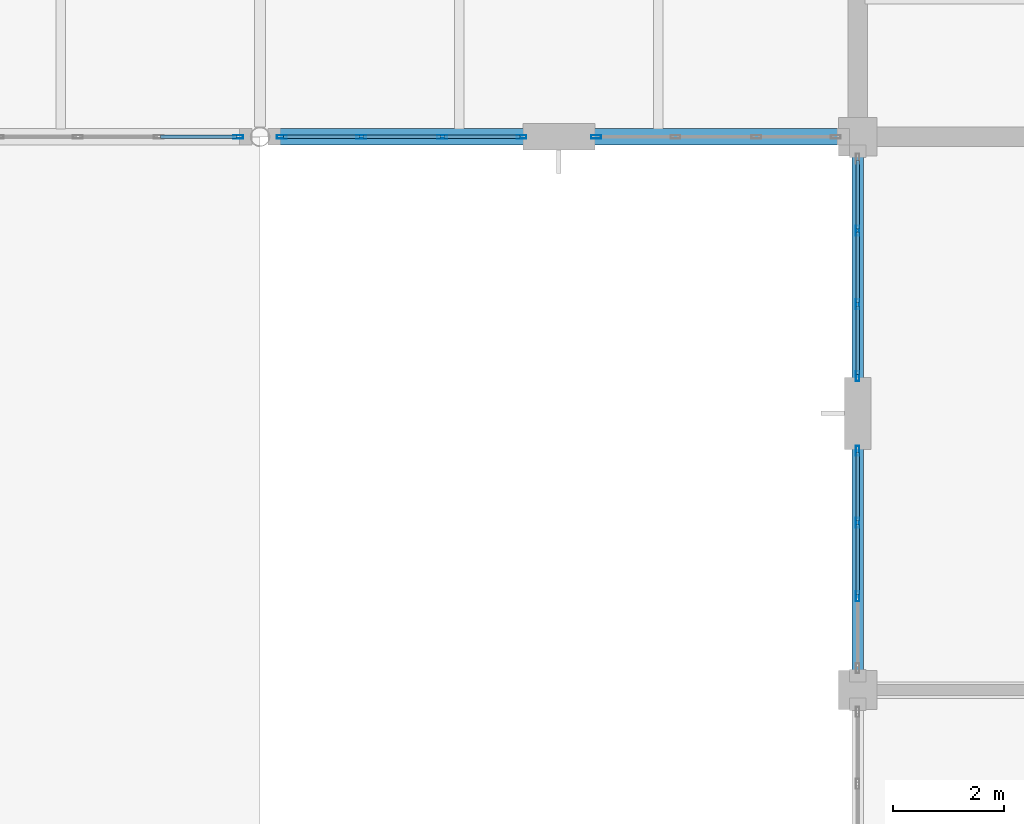
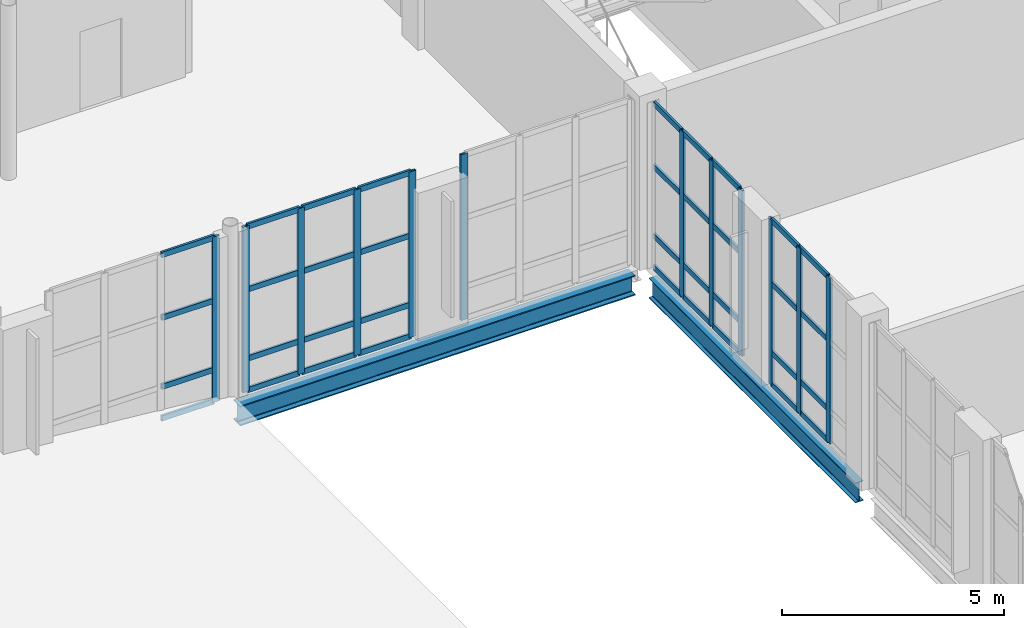
# One storey, part 36 of 92: 48 members, 2 beams, 5 elements without a shape of their own.
"""IFC4 building model written with IfcOpenShell, lengths in metres."""

from ifc_helpers import new_model, si_unit, direction, frame, origin, origin_2d, place, context, subcontext, project, spatial, hollow_rectangle, i_section, extrude, material, layer, layer_set, material_profile, profile_set, type_object, element, aggregate, save


model = new_model("IFC4")

# Units and contexts
model_context = context("Model", 3, precision=1e-05, world=origin(), true_north=direction((0.0, 1.0)))
body_context = subcontext(model_context, "Body", "Model", "MODEL_VIEW")
ifc_project = project(units=[si_unit("LENGTHUNIT", "METRE"), si_unit("AREAUNIT", "SQUARE_METRE"), si_unit("VOLUMEUNIT", "CUBIC_METRE"), si_unit("PLANEANGLEUNIT", "RADIAN"), si_unit("MASSUNIT", "GRAM", prefix="KILO")], contexts=[model_context])

# Site, building, storey
site_placement = place(None, origin())
site = spatial("IfcSite", under=ifc_project, at=site_placement, CompositionType="ELEMENT")
building_placement = place(site_placement, origin())
building = spatial("IfcBuilding", under=site, at=building_placement, Name="Tasgan Crest Museum", CompositionType="ELEMENT")
storey_placement = place(building_placement, frame((0.0, 0.0, 4.800048828125)))
storey = spatial("IfcBuildingStorey", under=building, at=storey_placement, Name="L01", CompositionType="ELEMENT", Elevation=4.800048828125)

# Beams
ifc_material_1 = material(Name="Steel S355K2", Category="steel")
ifc_material_profile_1 = material_profile(ifc_material_1, i_section(OverallWidth=0.300048828125, OverallDepth=0.550048828125, WebThickness=0.014892578125, FlangeThickness=0.029052734375, FilletRadius=0.027099609375, at=origin_2d()), Name="HEB 550")
ifc_profile_set_1 = profile_set([ifc_material_profile_1], Name="Steel S355K2")
beam_type_1 = type_object("IfcBeamType", Name="BM-G-HEB550", PredefinedType="BEAM", material=ifc_profile_set_1)
beam_1_placement = place(storey_placement, frame((97.373779296875, 40.0, -0.51513671875), z_axis=(1.0, 0.0, 0.0), x_axis=(0.0, 1.0, 0.0)))
element("IfcBeam", 1, at=beam_1_placement, inside=storey, type_object=beam_type_1, Name="Girder L01 E 97.2-108.0", PredefinedType="BEAM", context=body_context, shape_type="SweptSolid", body=[
    extrude(i_section(OverallWidth=0.300048828125, OverallDepth=0.550048828125, WebThickness=0.014892578125, FlangeThickness=0.029052734375, FilletRadius=0.027099609375, at=origin_2d()), origin(), (0.0, 0.0, 1.0), 10.2802734375),
])
ifc_material_2 = material(Name="Steel S355J2", Category="steel")
ifc_material_profile_2 = material_profile(ifc_material_2, i_section(OverallWidth=0.2099609375, OverallDepth=0.550048828125, WebThickness=0.010986328125, FlangeThickness=0.01708984375, FilletRadius=0.02392578125, at=origin_2d()), Name="IPE 550")
ifc_profile_set_2 = profile_set([ifc_material_profile_2], Name="Steel S355J2")
beam_type_2 = type_object("IfcBeamType", Name="BM-G-IPE550", PredefinedType="BEAM", material=ifc_profile_set_2)
beam_2_placement = place(storey_placement, frame((108.0, 30.344970703125, -0.554931640625), z_axis=(0.0, 1.0, 0.0), x_axis=(-1.0, 0.0, 0.0)))
element("IfcBeam", 2, at=beam_2_placement, inside=storey, type_object=beam_type_2, Name="Beam L01 11 30.0-40.0", PredefinedType="BEAM", context=body_context, shape_type="SweptSolid", body=[
    extrude(i_section(OverallWidth=0.2099609375, OverallDepth=0.550048828125, WebThickness=0.010986328125, FlangeThickness=0.01708984375, FilletRadius=0.02392578125, at=origin_2d()), origin(), (0.0, 0.0, 1.0), 9.31005859375),
])

# Curtain wall, member
ifc_material_3 = material(Name="Triple-Glazed Aluminium Curtain Wall", Category="aluminium")
ifc_layer_1 = layer(ifc_material_3, 0.179931640625, Name="CW-DRUM-X-48")
ifc_layer_set_1 = layer_set([ifc_layer_1], Name="Triple-Glazed Aluminium Curtain Wall")
curtain_wall_type_1 = type_object("IfcCurtainWallType", Name="CW-DRUM-X-48", PredefinedType="NOTDEFINED", material=ifc_layer_set_1)
curtain_wall_1_placement = place(storey_placement, origin())
curtain_wall_1 = element("IfcCurtainWall", 3, at=curtain_wall_1_placement, inside=storey, type_object=curtain_wall_type_1, Name="Curtain wall L01 034", PredefinedType="NOTDEFINED")
ifc_material_4 = material(Name="Anodised Aluminium", Category="aluminium")
ifc_material_profile_3 = material_profile(ifc_material_4, hollow_rectangle(XDim=0.06494140625, YDim=0.179931640625, WallThickness=0.0048828125, at=origin_2d()), Name="ALU MULLION 180x65x5")
ifc_profile_set_3 = profile_set([ifc_material_profile_3], Name="Anodised Aluminium")
member_type_1 = type_object("IfcMemberType", Name="CW-MULLION-180", PredefinedType="MULLION", material=ifc_profile_set_3)
member_1_placement = place(storey_placement, frame((96.804931640625, 40.0, 0.0), z_axis=(0.0, 0.0, 1.0), x_axis=(0.0, 1.0, 0.0)))
member_1 = element("IfcMember", 4, at=member_1_placement, type_object=member_type_1, Name="CW03 mullion 4", PredefinedType="MULLION", context=body_context, shape_type="SweptSolid", body=[
    extrude(hollow_rectangle(XDim=0.06494140625, YDim=0.179931640625, WallThickness=0.0048828125, at=origin_2d()), origin(), (0.0, 0.0, 1.0), 4.56005859375),
])

# Curtain wall, members
curtain_wall_2_placement = place(storey_placement, origin())
curtain_wall_2 = element("IfcCurtainWall", 5, at=curtain_wall_2_placement, inside=storey, type_object=curtain_wall_type_1, Name="Curtain wall L01 035", PredefinedType="NOTDEFINED")
member_2_placement = place(storey_placement, frame((97.594970703125, 40.0, 0.0), z_axis=(0.0, 0.0, 1.0), x_axis=(0.0, 1.0, 0.0)))
member_2 = element("IfcMember", 6, at=member_2_placement, type_object=member_type_1, Name="CW03 mullion 1", PredefinedType="MULLION", context=body_context, shape_type="SweptSolid", body=[
    extrude(hollow_rectangle(XDim=0.06494140625, YDim=0.179931640625, WallThickness=0.0048828125, at=origin_2d()), origin(), (0.0, 0.0, 1.0), 4.56005859375),
])
member_3_placement = place(storey_placement, frame((99.0283203125, 40.0, 0.0), z_axis=(0.0, 0.0, 1.0), x_axis=(0.0, 1.0, 0.0)))
member_3 = element("IfcMember", 7, at=member_3_placement, type_object=member_type_1, Name="CW03 mullion 2", PredefinedType="MULLION", context=body_context, shape_type="SweptSolid", body=[
    extrude(hollow_rectangle(XDim=0.06494140625, YDim=0.179931640625, WallThickness=0.0048828125, at=origin_2d()), origin(), (0.0, 0.0, 1.0), 4.56005859375),
])
member_4_placement = place(storey_placement, frame((100.49169921875, 40.0, 0.0), z_axis=(0.0, 0.0, 1.0), x_axis=(0.0, 1.0, 0.0)))
member_4 = element("IfcMember", 8, at=member_4_placement, type_object=member_type_1, Name="CW03 mullion 3", PredefinedType="MULLION", context=body_context, shape_type="SweptSolid", body=[
    extrude(hollow_rectangle(XDim=0.06494140625, YDim=0.179931640625, WallThickness=0.0048828125, at=origin_2d()), origin(), (0.0, 0.0, 1.0), 4.56005859375),
])
member_5_placement = place(storey_placement, frame((101.925048828125, 40.0, 0.0), z_axis=(0.0, 0.0, 1.0), x_axis=(0.0, 1.0, 0.0)))
member_5 = element("IfcMember", 9, at=member_5_placement, type_object=member_type_1, Name="CW03 mullion 4", PredefinedType="MULLION", context=body_context, shape_type="SweptSolid", body=[
    extrude(hollow_rectangle(XDim=0.06494140625, YDim=0.179931640625, WallThickness=0.0048828125, at=origin_2d()), origin(), (0.0, 0.0, 1.0), 4.56005859375),
])

# Curtain wall, member
curtain_wall_3_placement = place(storey_placement, origin())
curtain_wall_3 = element("IfcCurtainWall", 10, at=curtain_wall_3_placement, inside=storey, type_object=curtain_wall_type_1, Name="Curtain wall L01 036", PredefinedType="NOTDEFINED")
member_6_placement = place(storey_placement, frame((103.27490234375, 40.0, 0.0), z_axis=(0.0, 0.0, 1.0), x_axis=(0.0, 1.0, 0.0)))
member_6 = element("IfcMember", 11, at=member_6_placement, type_object=member_type_1, Name="CW03 mullion 1", PredefinedType="MULLION", context=body_context, shape_type="SweptSolid", body=[
    extrude(hollow_rectangle(XDim=0.06494140625, YDim=0.179931640625, WallThickness=0.0048828125, at=origin_2d()), origin(), (0.0, 0.0, 1.0), 4.56005859375),
])
aggregate(curtain_wall_3, [member_6])

# Curtain wall, members
ifc_material_5 = material(Name="Triple-Glazed Aluminium Curtain Wall", Category="aluminium")
ifc_layer_2 = layer(ifc_material_5, 0.179931640625, Name="CW-PORCH-Y")
ifc_layer_set_2 = layer_set([ifc_layer_2], Name="Triple-Glazed Aluminium Curtain Wall")
curtain_wall_type_2 = type_object("IfcCurtainWallType", Name="CW-PORCH-Y", PredefinedType="NOTDEFINED", material=ifc_layer_set_2)
curtain_wall_4_placement = place(storey_placement, origin())
curtain_wall_4 = element("IfcCurtainWall", 12, at=curtain_wall_4_placement, inside=storey, type_object=curtain_wall_type_2, Name="Curtain wall L01 037", PredefinedType="NOTDEFINED")
member_7_placement = place(storey_placement, frame((108.0, 38.304931640625, 0.0), z_axis=(0.0, 0.0, 1.0), x_axis=(1.0, 0.0, 0.0)))
member_7 = element("IfcMember", 13, at=member_7_placement, type_object=member_type_1, Name="CW02 mullion 2", PredefinedType="MULLION", context=body_context, shape_type="SweptSolid", body=[
    extrude(hollow_rectangle(XDim=0.06494140625, YDim=0.179931640625, WallThickness=0.0048828125, at=origin_2d()), origin(), (0.0, 0.0, 1.0), 4.56005859375),
])
member_8_placement = place(storey_placement, frame((108.0, 36.97509765625, 0.0), z_axis=(0.0, 0.0, 1.0), x_axis=(1.0, 0.0, 0.0)))
member_8 = element("IfcMember", 14, at=member_8_placement, type_object=member_type_1, Name="CW02 mullion 3", PredefinedType="MULLION", context=body_context, shape_type="SweptSolid", body=[
    extrude(hollow_rectangle(XDim=0.06494140625, YDim=0.179931640625, WallThickness=0.0048828125, at=origin_2d()), origin(), (0.0, 0.0, 1.0), 4.56005859375),
])
member_9_placement = place(storey_placement, frame((108.0, 35.675048828125, 0.0), z_axis=(0.0, 0.0, 1.0), x_axis=(1.0, 0.0, 0.0)))
member_9 = element("IfcMember", 15, at=member_9_placement, type_object=member_type_1, Name="CW02 mullion 4", PredefinedType="MULLION", context=body_context, shape_type="SweptSolid", body=[
    extrude(hollow_rectangle(XDim=0.06494140625, YDim=0.179931640625, WallThickness=0.0048828125, at=origin_2d()), origin(), (0.0, 0.0, 1.0), 4.56005859375),
])

curtain_wall_5_placement = place(storey_placement, origin())
curtain_wall_5 = element("IfcCurtainWall", 16, at=curtain_wall_5_placement, inside=storey, type_object=curtain_wall_type_2, Name="Curtain wall L01 038", PredefinedType="NOTDEFINED")
member_10_placement = place(storey_placement, frame((108.0, 34.324951171875, 0.0), z_axis=(0.0, 0.0, 1.0), x_axis=(1.0, 0.0, 0.0)))
member_10 = element("IfcMember", 17, at=member_10_placement, type_object=member_type_1, Name="CW02 mullion 1", PredefinedType="MULLION", context=body_context, shape_type="SweptSolid", body=[
    extrude(hollow_rectangle(XDim=0.06494140625, YDim=0.179931640625, WallThickness=0.0048828125, at=origin_2d()), origin(), (0.0, 0.0, 1.0), 4.56005859375),
])
member_11_placement = place(storey_placement, frame((108.0, 33.02490234375, 0.0), z_axis=(0.0, 0.0, 1.0), x_axis=(1.0, 0.0, 0.0)))
member_11 = element("IfcMember", 18, at=member_11_placement, type_object=member_type_1, Name="CW02 mullion 2", PredefinedType="MULLION", context=body_context, shape_type="SweptSolid", body=[
    extrude(hollow_rectangle(XDim=0.06494140625, YDim=0.179931640625, WallThickness=0.0048828125, at=origin_2d()), origin(), (0.0, 0.0, 1.0), 4.56005859375),
])
member_12_placement = place(storey_placement, frame((108.0, 31.695068359375, 0.0), z_axis=(0.0, 0.0, 1.0), x_axis=(1.0, 0.0, 0.0)))
member_12 = element("IfcMember", 19, at=member_12_placement, type_object=member_type_1, Name="CW02 mullion 3", PredefinedType="MULLION", context=body_context, shape_type="SweptSolid", body=[
    extrude(hollow_rectangle(XDim=0.06494140625, YDim=0.179931640625, WallThickness=0.0048828125, at=origin_2d()), origin(), (0.0, 0.0, 1.0), 4.56005859375),
])

# Member
ifc_material_6 = material(Name="Anodised Aluminium", Category="aluminium")
ifc_material_profile_4 = material_profile(ifc_material_6, hollow_rectangle(XDim=0.06005859375, YDim=0.14990234375, WallThickness=0.0048828125, at=origin_2d()), Name="ALU TRANSOM 150x60x5")
ifc_profile_set_4 = profile_set([ifc_material_profile_4], Name="Anodised Aluminium")
member_type_2 = type_object("IfcMemberType", Name="CW-TRANSOM-150", PredefinedType="USERDEFINED", material=ifc_profile_set_4)
member_13_placement = place(storey_placement, frame((95.401611328125, 40.0, 0.030029296875), z_axis=(1.0, 0.0, 0.0), x_axis=(0.0, 1.0, 0.0)))
member_13 = element("IfcMember", 20, at=member_13_placement, type_object=member_type_2, Name="CW03 transom 3.1", ObjectType="TRANSOM", PredefinedType="USERDEFINED", context=body_context, shape_type="SweptSolid", body=[
    extrude(hollow_rectangle(XDim=0.06005859375, YDim=0.14990234375, WallThickness=0.0048828125, at=origin_2d()), origin(), (0.0, 0.0, 1.0), 1.373291015625),
])

member_14_placement = place(storey_placement, frame((95.401611328125, 40.0, 0.89990234375), z_axis=(1.0, 0.0, 0.0), x_axis=(0.0, 1.0, 0.0)))
member_14 = element("IfcMember", 21, at=member_14_placement, type_object=member_type_2, Name="CW03 transom 3.2", ObjectType="TRANSOM", PredefinedType="USERDEFINED", context=body_context, shape_type="SweptSolid", body=[
    extrude(hollow_rectangle(XDim=0.06005859375, YDim=0.14990234375, WallThickness=0.0048828125, at=origin_2d()), origin(), (0.0, 0.0, 1.0), 1.373291015625),
])

member_15_placement = place(storey_placement, frame((95.401611328125, 40.0, 2.800048828125), z_axis=(1.0, 0.0, 0.0), x_axis=(0.0, 1.0, 0.0)))
member_15 = element("IfcMember", 22, at=member_15_placement, type_object=member_type_2, Name="CW03 transom 3.3", ObjectType="TRANSOM", PredefinedType="USERDEFINED", context=body_context, shape_type="SweptSolid", body=[
    extrude(hollow_rectangle(XDim=0.06005859375, YDim=0.14990234375, WallThickness=0.0048828125, at=origin_2d()), origin(), (0.0, 0.0, 1.0), 1.373291015625),
])

member_16_placement = place(storey_placement, frame((95.401611328125, 40.0, 4.530029296875), z_axis=(1.0, 0.0, 0.0), x_axis=(0.0, 1.0, 0.0)))
member_16 = element("IfcMember", 23, at=member_16_placement, type_object=member_type_2, Name="CW03 transom 3.4", ObjectType="TRANSOM", PredefinedType="USERDEFINED", context=body_context, shape_type="SweptSolid", body=[
    extrude(hollow_rectangle(XDim=0.06005859375, YDim=0.14990234375, WallThickness=0.0048828125, at=origin_2d()), origin(), (0.0, 0.0, 1.0), 1.373291015625),
])

aggregate(curtain_wall_1, [member_1, member_13, member_14, member_15, member_16])

member_17_placement = place(storey_placement, frame((97.625, 40.0, 0.030029296875), z_axis=(1.0, 0.0, 0.0), x_axis=(0.0, 1.0, 0.0)))
member_17 = element("IfcMember", 24, at=member_17_placement, type_object=member_type_2, Name="CW03 transom 1.1", ObjectType="TRANSOM", PredefinedType="USERDEFINED", context=body_context, shape_type="SweptSolid", body=[
    extrude(hollow_rectangle(XDim=0.06005859375, YDim=0.14990234375, WallThickness=0.0048828125, at=origin_2d()), origin(), (0.0, 0.0, 1.0), 1.373291015625),
])

member_18_placement = place(storey_placement, frame((97.625, 40.0, 0.89990234375), z_axis=(1.0, 0.0, 0.0), x_axis=(0.0, 1.0, 0.0)))
member_18 = element("IfcMember", 25, at=member_18_placement, type_object=member_type_2, Name="CW03 transom 1.2", ObjectType="TRANSOM", PredefinedType="USERDEFINED", context=body_context, shape_type="SweptSolid", body=[
    extrude(hollow_rectangle(XDim=0.06005859375, YDim=0.14990234375, WallThickness=0.0048828125, at=origin_2d()), origin(), (0.0, 0.0, 1.0), 1.373291015625),
])

member_19_placement = place(storey_placement, frame((97.625, 40.0, 2.800048828125), z_axis=(1.0, 0.0, 0.0), x_axis=(0.0, 1.0, 0.0)))
member_19 = element("IfcMember", 26, at=member_19_placement, type_object=member_type_2, Name="CW03 transom 1.3", ObjectType="TRANSOM", PredefinedType="USERDEFINED", context=body_context, shape_type="SweptSolid", body=[
    extrude(hollow_rectangle(XDim=0.06005859375, YDim=0.14990234375, WallThickness=0.0048828125, at=origin_2d()), origin(), (0.0, 0.0, 1.0), 1.373291015625),
])

member_20_placement = place(storey_placement, frame((97.625, 40.0, 4.530029296875), z_axis=(1.0, 0.0, 0.0), x_axis=(0.0, 1.0, 0.0)))
member_20 = element("IfcMember", 27, at=member_20_placement, type_object=member_type_2, Name="CW03 transom 1.4", ObjectType="TRANSOM", PredefinedType="USERDEFINED", context=body_context, shape_type="SweptSolid", body=[
    extrude(hollow_rectangle(XDim=0.06005859375, YDim=0.14990234375, WallThickness=0.0048828125, at=origin_2d()), origin(), (0.0, 0.0, 1.0), 1.373291015625),
])

member_21_placement = place(storey_placement, frame((99.058349609375, 40.0, 0.030029296875), z_axis=(1.0, 0.0, 0.0), x_axis=(0.0, 1.0, 0.0)))
member_21 = element("IfcMember", 28, at=member_21_placement, type_object=member_type_2, Name="CW03 transom 2.1", ObjectType="TRANSOM", PredefinedType="USERDEFINED", context=body_context, shape_type="SweptSolid", body=[
    extrude(hollow_rectangle(XDim=0.06005859375, YDim=0.14990234375, WallThickness=0.0048828125, at=origin_2d()), origin(), (0.0, 0.0, 1.0), 1.4033203125),
])

member_22_placement = place(storey_placement, frame((99.058349609375, 40.0, 0.89990234375), z_axis=(1.0, 0.0, 0.0), x_axis=(0.0, 1.0, 0.0)))
member_22 = element("IfcMember", 29, at=member_22_placement, type_object=member_type_2, Name="CW03 transom 2.2", ObjectType="TRANSOM", PredefinedType="USERDEFINED", context=body_context, shape_type="SweptSolid", body=[
    extrude(hollow_rectangle(XDim=0.06005859375, YDim=0.14990234375, WallThickness=0.0048828125, at=origin_2d()), origin(), (0.0, 0.0, 1.0), 1.4033203125),
])

member_23_placement = place(storey_placement, frame((99.058349609375, 40.0, 2.800048828125), z_axis=(1.0, 0.0, 0.0), x_axis=(0.0, 1.0, 0.0)))
member_23 = element("IfcMember", 30, at=member_23_placement, type_object=member_type_2, Name="CW03 transom 2.3", ObjectType="TRANSOM", PredefinedType="USERDEFINED", context=body_context, shape_type="SweptSolid", body=[
    extrude(hollow_rectangle(XDim=0.06005859375, YDim=0.14990234375, WallThickness=0.0048828125, at=origin_2d()), origin(), (0.0, 0.0, 1.0), 1.4033203125),
])

member_24_placement = place(storey_placement, frame((99.058349609375, 40.0, 4.530029296875), z_axis=(1.0, 0.0, 0.0), x_axis=(0.0, 1.0, 0.0)))
member_24 = element("IfcMember", 31, at=member_24_placement, type_object=member_type_2, Name="CW03 transom 2.4", ObjectType="TRANSOM", PredefinedType="USERDEFINED", context=body_context, shape_type="SweptSolid", body=[
    extrude(hollow_rectangle(XDim=0.06005859375, YDim=0.14990234375, WallThickness=0.0048828125, at=origin_2d()), origin(), (0.0, 0.0, 1.0), 1.4033203125),
])

member_25_placement = place(storey_placement, frame((100.521728515625, 40.0, 0.030029296875), z_axis=(1.0, 0.0, 0.0), x_axis=(0.0, 1.0, 0.0)))
member_25 = element("IfcMember", 32, at=member_25_placement, type_object=member_type_2, Name="CW03 transom 3.1", ObjectType="TRANSOM", PredefinedType="USERDEFINED", context=body_context, shape_type="SweptSolid", body=[
    extrude(hollow_rectangle(XDim=0.06005859375, YDim=0.14990234375, WallThickness=0.0048828125, at=origin_2d()), origin(), (0.0, 0.0, 1.0), 1.373291015625),
])

member_26_placement = place(storey_placement, frame((100.521728515625, 40.0, 0.89990234375), z_axis=(1.0, 0.0, 0.0), x_axis=(0.0, 1.0, 0.0)))
member_26 = element("IfcMember", 33, at=member_26_placement, type_object=member_type_2, Name="CW03 transom 3.2", ObjectType="TRANSOM", PredefinedType="USERDEFINED", context=body_context, shape_type="SweptSolid", body=[
    extrude(hollow_rectangle(XDim=0.06005859375, YDim=0.14990234375, WallThickness=0.0048828125, at=origin_2d()), origin(), (0.0, 0.0, 1.0), 1.373291015625),
])

member_27_placement = place(storey_placement, frame((100.521728515625, 40.0, 2.800048828125), z_axis=(1.0, 0.0, 0.0), x_axis=(0.0, 1.0, 0.0)))
member_27 = element("IfcMember", 34, at=member_27_placement, type_object=member_type_2, Name="CW03 transom 3.3", ObjectType="TRANSOM", PredefinedType="USERDEFINED", context=body_context, shape_type="SweptSolid", body=[
    extrude(hollow_rectangle(XDim=0.06005859375, YDim=0.14990234375, WallThickness=0.0048828125, at=origin_2d()), origin(), (0.0, 0.0, 1.0), 1.373291015625),
])

member_28_placement = place(storey_placement, frame((100.521728515625, 40.0, 4.530029296875), z_axis=(1.0, 0.0, 0.0), x_axis=(0.0, 1.0, 0.0)))
member_28 = element("IfcMember", 35, at=member_28_placement, type_object=member_type_2, Name="CW03 transom 3.4", ObjectType="TRANSOM", PredefinedType="USERDEFINED", context=body_context, shape_type="SweptSolid", body=[
    extrude(hollow_rectangle(XDim=0.06005859375, YDim=0.14990234375, WallThickness=0.0048828125, at=origin_2d()), origin(), (0.0, 0.0, 1.0), 1.373291015625),
])

aggregate(curtain_wall_2, [member_2, member_3, member_4, member_5, member_17, member_18, member_19, member_20, member_21, member_22, member_23, member_24, member_25, member_26, member_27, member_28])

member_29_placement = place(storey_placement, frame((108.0, 39.574951171875, 0.030029296875), z_axis=(0.0, -1.0, 0.0), x_axis=(1.0, 0.0, 0.0)))
member_29 = element("IfcMember", 36, at=member_29_placement, type_object=member_type_2, Name="CW02 transom 1.1", ObjectType="TRANSOM", PredefinedType="USERDEFINED", context=body_context, shape_type="SweptSolid", body=[
    extrude(hollow_rectangle(XDim=0.06005859375, YDim=0.14990234375, WallThickness=0.0048828125, at=origin_2d()), origin(), (0.0, 0.0, 1.0), 1.239990234375),
])

member_30_placement = place(storey_placement, frame((108.0, 39.574951171875, 0.89990234375), z_axis=(0.0, -1.0, 0.0), x_axis=(1.0, 0.0, 0.0)))
member_30 = element("IfcMember", 37, at=member_30_placement, type_object=member_type_2, Name="CW02 transom 1.2", ObjectType="TRANSOM", PredefinedType="USERDEFINED", context=body_context, shape_type="SweptSolid", body=[
    extrude(hollow_rectangle(XDim=0.06005859375, YDim=0.14990234375, WallThickness=0.0048828125, at=origin_2d()), origin(), (0.0, 0.0, 1.0), 1.239990234375),
])

member_31_placement = place(storey_placement, frame((108.0, 39.574951171875, 2.800048828125), z_axis=(0.0, -1.0, 0.0), x_axis=(1.0, 0.0, 0.0)))
member_31 = element("IfcMember", 38, at=member_31_placement, type_object=member_type_2, Name="CW02 transom 1.3", ObjectType="TRANSOM", PredefinedType="USERDEFINED", context=body_context, shape_type="SweptSolid", body=[
    extrude(hollow_rectangle(XDim=0.06005859375, YDim=0.14990234375, WallThickness=0.0048828125, at=origin_2d()), origin(), (0.0, 0.0, 1.0), 1.239990234375),
])

member_32_placement = place(storey_placement, frame((108.0, 39.574951171875, 4.530029296875), z_axis=(0.0, -1.0, 0.0), x_axis=(1.0, 0.0, 0.0)))
member_32 = element("IfcMember", 39, at=member_32_placement, type_object=member_type_2, Name="CW02 transom 1.4", ObjectType="TRANSOM", PredefinedType="USERDEFINED", context=body_context, shape_type="SweptSolid", body=[
    extrude(hollow_rectangle(XDim=0.06005859375, YDim=0.14990234375, WallThickness=0.0048828125, at=origin_2d()), origin(), (0.0, 0.0, 1.0), 1.239990234375),
])

member_33_placement = place(storey_placement, frame((108.0, 38.27490234375, 0.030029296875), z_axis=(0.0, -1.0, 0.0), x_axis=(1.0, 0.0, 0.0)))
member_33 = element("IfcMember", 40, at=member_33_placement, type_object=member_type_2, Name="CW02 transom 2.1", ObjectType="TRANSOM", PredefinedType="USERDEFINED", context=body_context, shape_type="SweptSolid", body=[
    extrude(hollow_rectangle(XDim=0.06005859375, YDim=0.14990234375, WallThickness=0.0048828125, at=origin_2d()), origin(), (0.0, 0.0, 1.0), 1.27001953125),
])

member_34_placement = place(storey_placement, frame((108.0, 38.27490234375, 0.89990234375), z_axis=(0.0, -1.0, 0.0), x_axis=(1.0, 0.0, 0.0)))
member_34 = element("IfcMember", 41, at=member_34_placement, type_object=member_type_2, Name="CW02 transom 2.2", ObjectType="TRANSOM", PredefinedType="USERDEFINED", context=body_context, shape_type="SweptSolid", body=[
    extrude(hollow_rectangle(XDim=0.06005859375, YDim=0.14990234375, WallThickness=0.0048828125, at=origin_2d()), origin(), (0.0, 0.0, 1.0), 1.27001953125),
])

member_35_placement = place(storey_placement, frame((108.0, 38.27490234375, 2.800048828125), z_axis=(0.0, -1.0, 0.0), x_axis=(1.0, 0.0, 0.0)))
member_35 = element("IfcMember", 42, at=member_35_placement, type_object=member_type_2, Name="CW02 transom 2.3", ObjectType="TRANSOM", PredefinedType="USERDEFINED", context=body_context, shape_type="SweptSolid", body=[
    extrude(hollow_rectangle(XDim=0.06005859375, YDim=0.14990234375, WallThickness=0.0048828125, at=origin_2d()), origin(), (0.0, 0.0, 1.0), 1.27001953125),
])

member_36_placement = place(storey_placement, frame((108.0, 38.27490234375, 4.530029296875), z_axis=(0.0, -1.0, 0.0), x_axis=(1.0, 0.0, 0.0)))
member_36 = element("IfcMember", 43, at=member_36_placement, type_object=member_type_2, Name="CW02 transom 2.4", ObjectType="TRANSOM", PredefinedType="USERDEFINED", context=body_context, shape_type="SweptSolid", body=[
    extrude(hollow_rectangle(XDim=0.06005859375, YDim=0.14990234375, WallThickness=0.0048828125, at=origin_2d()), origin(), (0.0, 0.0, 1.0), 1.27001953125),
])

member_37_placement = place(storey_placement, frame((108.0, 36.945068359375, 0.030029296875), z_axis=(0.0, -1.0, 0.0), x_axis=(1.0, 0.0, 0.0)))
member_37 = element("IfcMember", 44, at=member_37_placement, type_object=member_type_2, Name="CW02 transom 3.1", ObjectType="TRANSOM", PredefinedType="USERDEFINED", context=body_context, shape_type="SweptSolid", body=[
    extrude(hollow_rectangle(XDim=0.06005859375, YDim=0.14990234375, WallThickness=0.0048828125, at=origin_2d()), origin(), (0.0, 0.0, 1.0), 1.239990234375),
])

member_38_placement = place(storey_placement, frame((108.0, 36.945068359375, 0.89990234375), z_axis=(0.0, -1.0, 0.0), x_axis=(1.0, 0.0, 0.0)))
member_38 = element("IfcMember", 45, at=member_38_placement, type_object=member_type_2, Name="CW02 transom 3.2", ObjectType="TRANSOM", PredefinedType="USERDEFINED", context=body_context, shape_type="SweptSolid", body=[
    extrude(hollow_rectangle(XDim=0.06005859375, YDim=0.14990234375, WallThickness=0.0048828125, at=origin_2d()), origin(), (0.0, 0.0, 1.0), 1.239990234375),
])

member_39_placement = place(storey_placement, frame((108.0, 36.945068359375, 2.800048828125), z_axis=(0.0, -1.0, 0.0), x_axis=(1.0, 0.0, 0.0)))
member_39 = element("IfcMember", 46, at=member_39_placement, type_object=member_type_2, Name="CW02 transom 3.3", ObjectType="TRANSOM", PredefinedType="USERDEFINED", context=body_context, shape_type="SweptSolid", body=[
    extrude(hollow_rectangle(XDim=0.06005859375, YDim=0.14990234375, WallThickness=0.0048828125, at=origin_2d()), origin(), (0.0, 0.0, 1.0), 1.239990234375),
])

member_40_placement = place(storey_placement, frame((108.0, 36.945068359375, 4.530029296875), z_axis=(0.0, -1.0, 0.0), x_axis=(1.0, 0.0, 0.0)))
member_40 = element("IfcMember", 47, at=member_40_placement, type_object=member_type_2, Name="CW02 transom 3.4", ObjectType="TRANSOM", PredefinedType="USERDEFINED", context=body_context, shape_type="SweptSolid", body=[
    extrude(hollow_rectangle(XDim=0.06005859375, YDim=0.14990234375, WallThickness=0.0048828125, at=origin_2d()), origin(), (0.0, 0.0, 1.0), 1.239990234375),
])

aggregate(curtain_wall_4, [member_7, member_8, member_9, member_29, member_30, member_31, member_32, member_33, member_34, member_35, member_36, member_37, member_38, member_39, member_40])

member_41_placement = place(storey_placement, frame((108.0, 34.294921875, 0.030029296875), z_axis=(0.0, -1.0, 0.0), x_axis=(1.0, 0.0, 0.0)))
member_41 = element("IfcMember", 48, at=member_41_placement, type_object=member_type_2, Name="CW02 transom 1.1", ObjectType="TRANSOM", PredefinedType="USERDEFINED", context=body_context, shape_type="SweptSolid", body=[
    extrude(hollow_rectangle(XDim=0.06005859375, YDim=0.14990234375, WallThickness=0.0048828125, at=origin_2d()), origin(), (0.0, 0.0, 1.0), 1.239990234375),
])

member_42_placement = place(storey_placement, frame((108.0, 34.294921875, 0.89990234375), z_axis=(0.0, -1.0, 0.0), x_axis=(1.0, 0.0, 0.0)))
member_42 = element("IfcMember", 49, at=member_42_placement, type_object=member_type_2, Name="CW02 transom 1.2", ObjectType="TRANSOM", PredefinedType="USERDEFINED", context=body_context, shape_type="SweptSolid", body=[
    extrude(hollow_rectangle(XDim=0.06005859375, YDim=0.14990234375, WallThickness=0.0048828125, at=origin_2d()), origin(), (0.0, 0.0, 1.0), 1.239990234375),
])

member_43_placement = place(storey_placement, frame((108.0, 34.294921875, 2.800048828125), z_axis=(0.0, -1.0, 0.0), x_axis=(1.0, 0.0, 0.0)))
member_43 = element("IfcMember", 50, at=member_43_placement, type_object=member_type_2, Name="CW02 transom 1.3", ObjectType="TRANSOM", PredefinedType="USERDEFINED", context=body_context, shape_type="SweptSolid", body=[
    extrude(hollow_rectangle(XDim=0.06005859375, YDim=0.14990234375, WallThickness=0.0048828125, at=origin_2d()), origin(), (0.0, 0.0, 1.0), 1.239990234375),
])

member_44_placement = place(storey_placement, frame((108.0, 34.294921875, 4.530029296875), z_axis=(0.0, -1.0, 0.0), x_axis=(1.0, 0.0, 0.0)))
member_44 = element("IfcMember", 51, at=member_44_placement, type_object=member_type_2, Name="CW02 transom 1.4", ObjectType="TRANSOM", PredefinedType="USERDEFINED", context=body_context, shape_type="SweptSolid", body=[
    extrude(hollow_rectangle(XDim=0.06005859375, YDim=0.14990234375, WallThickness=0.0048828125, at=origin_2d()), origin(), (0.0, 0.0, 1.0), 1.239990234375),
])

member_45_placement = place(storey_placement, frame((108.0, 32.9951171875, 0.030029296875), z_axis=(0.0, -1.0, 0.0), x_axis=(1.0, 0.0, 0.0)))
member_45 = element("IfcMember", 52, at=member_45_placement, type_object=member_type_2, Name="CW02 transom 2.1", ObjectType="TRANSOM", PredefinedType="USERDEFINED", context=body_context, shape_type="SweptSolid", body=[
    extrude(hollow_rectangle(XDim=0.06005859375, YDim=0.14990234375, WallThickness=0.0048828125, at=origin_2d()), origin(), (0.0, 0.0, 1.0), 1.27001953125),
])

member_46_placement = place(storey_placement, frame((108.0, 32.9951171875, 0.89990234375), z_axis=(0.0, -1.0, 0.0), x_axis=(1.0, 0.0, 0.0)))
member_46 = element("IfcMember", 53, at=member_46_placement, type_object=member_type_2, Name="CW02 transom 2.2", ObjectType="TRANSOM", PredefinedType="USERDEFINED", context=body_context, shape_type="SweptSolid", body=[
    extrude(hollow_rectangle(XDim=0.06005859375, YDim=0.14990234375, WallThickness=0.0048828125, at=origin_2d()), origin(), (0.0, 0.0, 1.0), 1.27001953125),
])

member_47_placement = place(storey_placement, frame((108.0, 32.9951171875, 2.800048828125), z_axis=(0.0, -1.0, 0.0), x_axis=(1.0, 0.0, 0.0)))
member_47 = element("IfcMember", 54, at=member_47_placement, type_object=member_type_2, Name="CW02 transom 2.3", ObjectType="TRANSOM", PredefinedType="USERDEFINED", context=body_context, shape_type="SweptSolid", body=[
    extrude(hollow_rectangle(XDim=0.06005859375, YDim=0.14990234375, WallThickness=0.0048828125, at=origin_2d()), origin(), (0.0, 0.0, 1.0), 1.27001953125),
])

member_48_placement = place(storey_placement, frame((108.0, 32.9951171875, 4.530029296875), z_axis=(0.0, -1.0, 0.0), x_axis=(1.0, 0.0, 0.0)))
member_48 = element("IfcMember", 55, at=member_48_placement, type_object=member_type_2, Name="CW02 transom 2.4", ObjectType="TRANSOM", PredefinedType="USERDEFINED", context=body_context, shape_type="SweptSolid", body=[
    extrude(hollow_rectangle(XDim=0.06005859375, YDim=0.14990234375, WallThickness=0.0048828125, at=origin_2d()), origin(), (0.0, 0.0, 1.0), 1.27001953125),
])

aggregate(curtain_wall_5, [member_10, member_11, member_12, member_41, member_42, member_43, member_44, member_45, member_46, member_47, member_48])

save(model, "model.ifc")
